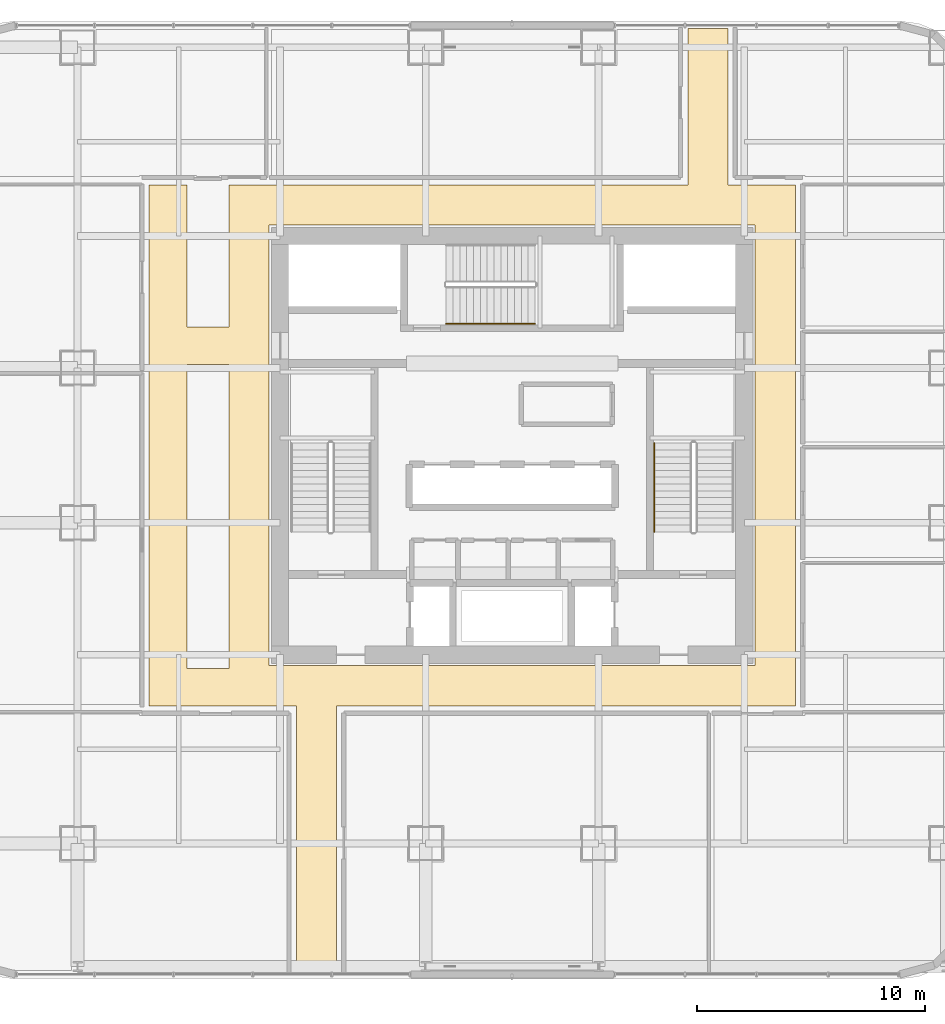
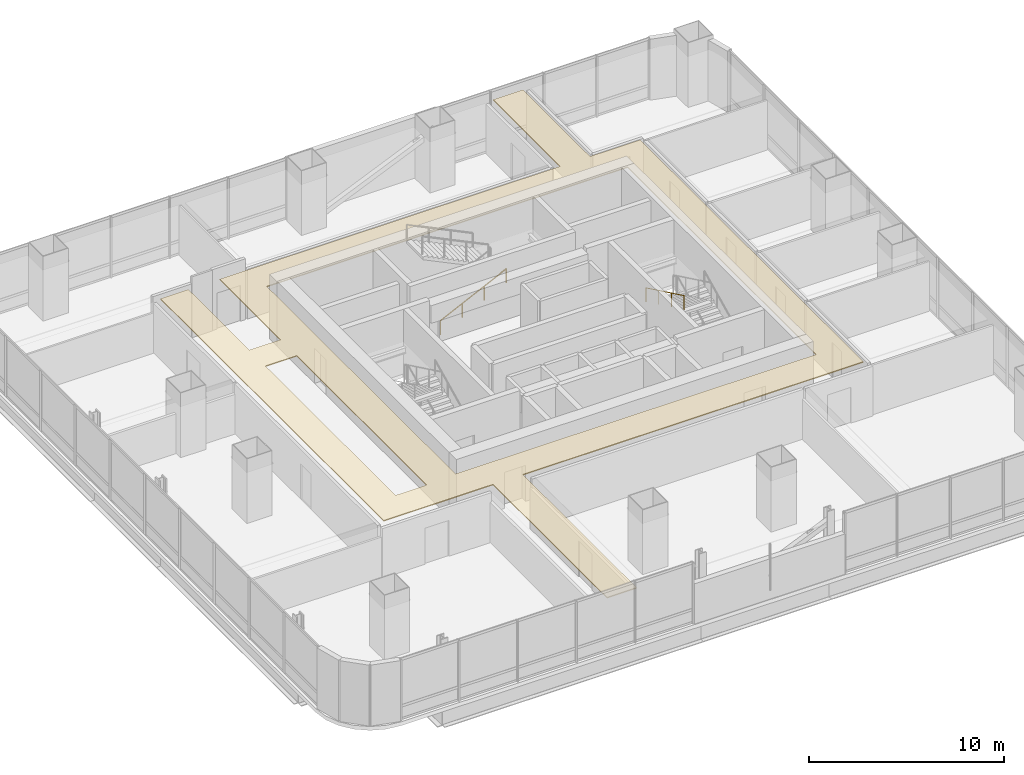
# One storey, part 33 of 37: 2 railings, 1 covering.
"""IFC4 building model written with IfcOpenShell, lengths in metres."""

from ifc_helpers import new_model, si_unit, direction, frame, origin, origin_2d, place, context, subcontext, project, spatial, polyline, circle, outline, extrude, material, layer, layer_set, type_object, element, save


model = new_model("IFC4")

# Units and contexts
model_context = context("Model", 3, precision=1e-05, world=origin(), true_north=direction((0.0, 1.0)))
body_context = subcontext(model_context, "Body", "Model", "MODEL_VIEW")
ifc_project = project(units=[si_unit("LENGTHUNIT", "METRE"), si_unit("AREAUNIT", "SQUARE_METRE"), si_unit("VOLUMEUNIT", "CUBIC_METRE"), si_unit("PLANEANGLEUNIT", "RADIAN"), si_unit("MASSUNIT", "GRAM", prefix="KILO")], contexts=[model_context])

# Site, building, storey
site_placement = place(None, origin())
site = spatial("IfcSite", under=ifc_project, at=site_placement, CompositionType="ELEMENT")
building_placement = place(site_placement, origin())
building = spatial("IfcBuilding", under=site, at=building_placement, Name="Punatoya Terracotta Tower", CompositionType="ELEMENT")
storey_placement = place(building_placement, frame((0.0, 0.0, 44.39990234375)))
storey = spatial("IfcBuildingStorey", under=building, at=storey_placement, Name="L09", CompositionType="ELEMENT", Elevation=44.39990234375)

# Covering
ifc_material_1 = material(Name="Acoustic Mineral Fibre Ceiling")
ifc_layer = layer(ifc_material_1, 0.06005859375)
ifc_layer_set = layer_set([ifc_layer], Name="Acoustic Mineral Fibre Ceiling")
covering_type = type_object("IfcCoveringType", Name="COV-CEIL-60", PredefinedType="CEILING", material=ifc_layer_set)
covering_placement = place(storey_placement, frame((0.0, 0.0, 3.2001953125)))
element("IfcCovering", 1, at=covering_placement, inside=storey, type_object=covering_type, Name="L09 Ring Circulation Corridor Acoustic Ceiling", PredefinedType="CEILING", context=body_context, shape_type="SweptSolid", body=[
    extrude(outline(polyline([(-12.449951171875, 5.199951171875), (-14.300048828125, 5.199951171875), (-14.300048828125, 11.449951171875), (-15.949951171875, 11.449951171875), (-15.949951171875, -11.449951171875), (-9.47998046875, -11.449951171875), (-9.47998046875, -23.1298828125), (-7.719970703125, -23.1298828125), (-7.719970703125, -11.449951171875), (12.449951171875, -11.449951171875), (12.449951171875, 11.449951171875), (9.47998046875, 11.449951171875), (9.47998046875, 18.330078125), (7.719970703125, 18.330078125), (7.719970703125, 11.449951171875), (-12.449951171875, 11.449951171875), (-12.449951171875, 5.199951171875)]), holes=[polyline([(10.679931640625, -9.679931640625), (-10.679931640625, -9.679931640625), (-10.679931640625, 9.679931640625), (10.679931640625, 9.679931640625), (10.679931640625, -9.679931640625)]), polyline([(-12.449951171875, -9.800048828125), (-14.300048828125, -9.800048828125), (-14.300048828125, 3.550048828125), (-12.449951171875, 3.550048828125), (-12.449951171875, -9.800048828125)])]), origin(), (0.0, 0.0, 1.0), 0.059814453125),
])

# Railings
ifc_material_2 = material(Name="Steel S355", Category="steel")
railing_type = type_object("IfcRailingType", Name="RLG-HND-900", PredefinedType="HANDRAIL", material=ifc_material_2)
railing_1_placement = place(storey_placement, frame((6.25, 0.10009765625, 2.169677734375)))
element("IfcRailing", 2, at=railing_1_placement, inside=storey, type_object=railing_type, Name="L09 ST-2 stair handrail 2", PredefinedType="HANDRAIL", context=body_context, shape_type="SweptSolid", body=[
    extrude(circle(Radius=0.02392578125, at=origin_2d()), frame((0.0, 0.0, 0.8759765625), z_axis=(0.0, -0.900773802044, 0.434288564841), x_axis=(1.0, 0.0, 0.0)), (0.0, 0.0, 1.0), 4.329833984375),
    extrude(circle(Radius=0.02099609375, at=origin_2d()), origin(), (0.0, 0.0, 1.0), 0.851806640625),
    extrude(circle(Radius=0.02099609375, at=origin_2d()), frame((0.0, -1.300048828125, 0.626708984375)), (0.0, 0.0, 1.0), 0.851806640625),
    extrude(circle(Radius=0.02099609375, at=origin_2d()), frame((0.0, -2.60009765625, 1.253662109375)), (0.0, 0.0, 1.0), 0.851806640625),
    extrude(circle(Radius=0.02099609375, at=origin_2d()), frame((0.0, -3.900146484375, 1.88037109375)), (0.0, 0.0, 1.0), 0.851806640625),
])
railing_2_placement = place(storey_placement, frame((-2.89990234375, 5.35009765625, 0.144775390625)))
element("IfcRailing", 3, at=railing_2_placement, inside=storey, type_object=railing_type, Name="L09 ST-3 stair handrail 1", PredefinedType="HANDRAIL", context=body_context, shape_type="SweptSolid", body=[
    extrude(circle(Radius=0.02392578125, at=origin_2d()), frame((0.0, 0.0, 0.8759765625), z_axis=(0.900763166376, 0.0, 0.434310623978), x_axis=(0.0, 1.0, 0.0)), (0.0, 0.0, 1.0), 4.32958984375),
    extrude(circle(Radius=0.02099609375, at=origin_2d()), origin(), (0.0, 0.0, 1.0), 0.851806640625),
    extrude(circle(Radius=0.02099609375, at=origin_2d()), frame((1.300048828125, 0.0, 0.626708984375)), (0.0, 0.0, 1.0), 0.851806640625),
    extrude(circle(Radius=0.02099609375, at=origin_2d()), frame((2.599853515625, 0.0, 1.253662109375)), (0.0, 0.0, 1.0), 0.851806640625),
    extrude(circle(Radius=0.02099609375, at=origin_2d()), frame((3.89990234375, 0.0, 1.88037109375)), (0.0, 0.0, 1.0), 0.851806640625),
])

save(model, "model.ifc")
